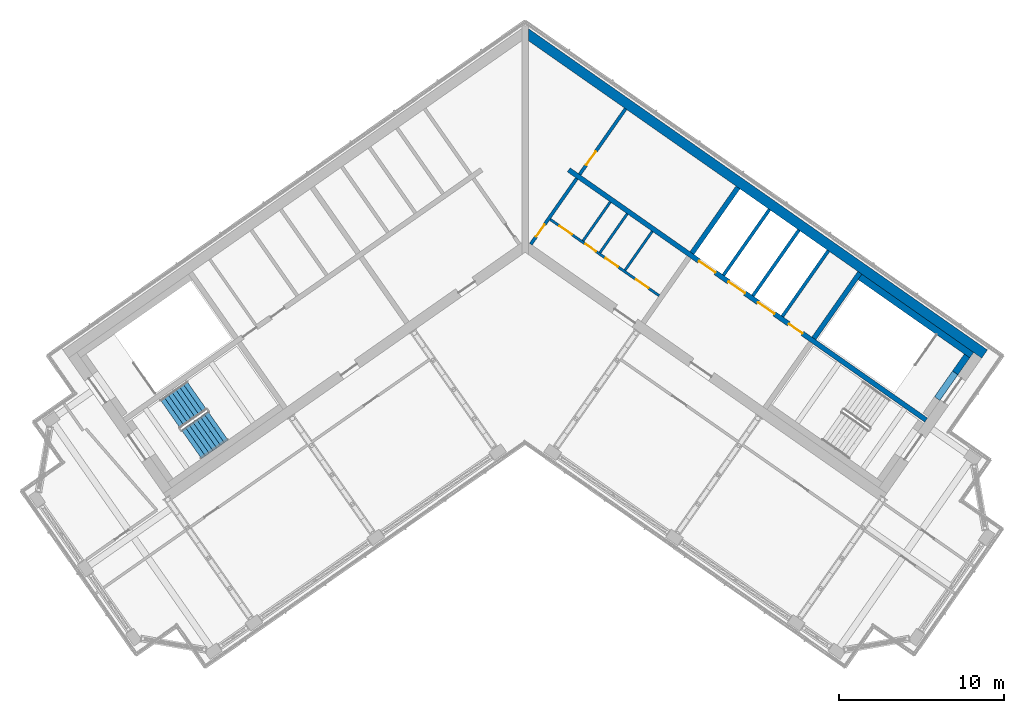
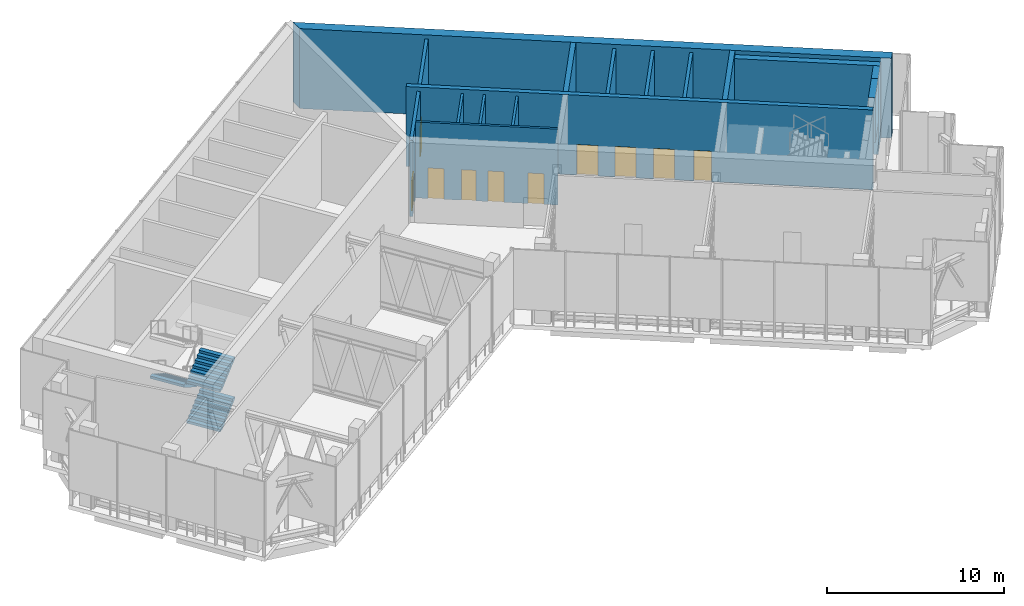
# One storey, part 5 of 16: 16 walls, 10 doors, 3 stair flights, 10 openings, 1 element without a shape of its own.
"""IFC4 building model written with IfcOpenShell, lengths in metres."""

import ifcopenshell
import ifcopenshell.guid

model = None  # the IFC model being written
_history = None  # IfcOwnerHistory: only IFC2X3 demands one
_inside = {}  # id of a spatial element -> (the spatial element, [elements in it])
_under = {}  # id of a project, library or spatial element -> (it, [spatial elements below it])
_declared = {}  # id of a project -> (the project, [libraries it declares])
_typed = {}  # id of a type object -> (the type object, [elements of that type])
_made_of = {}  # id of a material, layer set ... -> (it, [elements and type objects made of it])


def new_model(schema):
    """Start an empty IFC model of exactly this schema.

    Asked for "IFC4X3", IfcOpenShell would pick the latest addendum, in which some entities
    have other attributes; the version numbers below select the first issue.
    IFC2X3 requires an IfcOwnerHistory on every rooted entity: one is made here for all.
    """
    global model, _history
    if schema == "IFC4X3":
        model = ifcopenshell.file(schema_version=(4, 3, 0, 0))
    else:
        model = ifcopenshell.file(schema=schema)
    _inside.clear()
    _under.clear()
    _declared.clear()
    _typed.clear()
    _made_of.clear()
    _history = None
    if model.schema == "IFC2X3":
        org = make("IfcOrganization", Name="unknown")
        user = make(
            "IfcPersonAndOrganization",
            ThePerson=make("IfcPerson", FamilyName="unknown"),
            TheOrganization=org,
        )
        app = make(
            "IfcApplication",
            ApplicationDeveloper=org,
            Version="unknown",
            ApplicationFullName="unknown",
            ApplicationIdentifier="unknown",
        )
        _history = make(
            "IfcOwnerHistory",
            OwningUser=user,
            OwningApplication=app,
            ChangeAction="ADDED",
            CreationDate=0,
        )
    return model


def make(cls, **values):
    """One entity of the class cls with the attributes given. An attribute that is None is left unset."""
    return model.create_entity(
        cls, **{name: value for name, value in values.items() if value is not None}
    )


def rooted(cls, **values):
    """An entity with a GlobalId (a new one), such as an element, a storey or a relation."""
    return make(cls, GlobalId=ifcopenshell.guid.new(), OwnerHistory=_history, **values)


def si_unit(unit_type, name, prefix=None):
    """IfcSIUnit, for example si_unit("LENGTHUNIT", "METRE", prefix="MILLI")."""
    return make("IfcSIUnit", UnitType=unit_type, Prefix=prefix, Name=name)


def assignment(units):
    """IfcUnitAssignment: the units of a project."""
    return None if units is None else make("IfcUnitAssignment", Units=units)


def point(xyz):
    """IfcCartesianPoint."""
    return None if xyz is None else make("IfcCartesianPoint", Coordinates=xyz)


def direction(xyz):
    """IfcDirection."""
    return None if xyz is None else make("IfcDirection", DirectionRatios=xyz)


def frame(location, z_axis=None, x_axis=None):
    """IfcAxis2Placement3D, a coordinate frame: its origin and axes. An axis left out is left unset."""
    return make(
        "IfcAxis2Placement3D",
        Location=point(location),
        Axis=direction(z_axis),
        RefDirection=direction(x_axis),
    )


def frame_2d(location, x_axis=None):
    """IfcAxis2Placement2D, a coordinate frame in the plane: its origin and x axis."""
    return make(
        "IfcAxis2Placement2D", Location=point(location), RefDirection=direction(x_axis)
    )


def origin():
    """The frame at (0, 0, 0) with its axes left unset."""
    return frame((0.0, 0.0, 0.0))


def place(relative_to, where):
    """IfcLocalPlacement: puts the frame where relative to a parent placement (None: the world)."""
    return make(
        "IfcLocalPlacement", PlacementRelTo=relative_to, RelativePlacement=where
    )


def context(
    kind, dimensions, precision=None, world=None, true_north=None, identifier=None
):
    """IfcGeometricRepresentationContext, for example the 3D "Model" context."""
    return make(
        "IfcGeometricRepresentationContext",
        ContextIdentifier=identifier,
        ContextType=kind,
        CoordinateSpaceDimension=dimensions,
        Precision=precision,
        WorldCoordinateSystem=world,
        TrueNorth=true_north,
    )


def subcontext(parent, identifier, kind, view, scale=None):
    """IfcGeometricRepresentationSubContext, for example "Body" below "Model"."""
    return make(
        "IfcGeometricRepresentationSubContext",
        ContextIdentifier=identifier,
        ContextType=kind,
        ParentContext=parent,
        TargetScale=scale,
        TargetView=view,
    )


def project(units=None, contexts=None):
    """IfcProject with its units and contexts."""
    return rooted(
        "IfcProject",
        Name="project",
        RepresentationContexts=contexts,
        UnitsInContext=assignment(units),
    )


def spatial(cls, under=None, at=None, **own):
    """A site, building, storey or space (cls), placed at a placement, below another one or the project."""
    s = rooted(cls, ObjectPlacement=at, **own)
    if under is not None:
        _under.setdefault(under.id(), (under, []))[1].append(s)
    return s


def polyline(points):
    """IfcPolyline through the points."""
    return make("IfcPolyline", Points=[point(p) for p in points])


def profile(cls, at=None, kind="AREA", **sizes):
    """A parametric profile (cls). Its sizes go by their IFC names, for example OverallWidth=200.0."""
    return make(cls, ProfileType=kind, Position=at, **sizes)


def rectangle(**sizes):
    """IfcRectangleProfileDef."""
    return profile("IfcRectangleProfileDef", **sizes)


def outline(outer, holes=None, kind="AREA"):
    """IfcArbitraryClosedProfileDef: a profile drawn as a closed curve; with holes, ...WithVoids."""
    if holes is None:
        return make("IfcArbitraryClosedProfileDef", ProfileType=kind, OuterCurve=outer)
    return make(
        "IfcArbitraryProfileDefWithVoids",
        ProfileType=kind,
        OuterCurve=outer,
        InnerCurves=holes,
    )


def extrude(swept, where, along, depth):
    """IfcExtrudedAreaSolid: the profile swept, set in the frame where, extruded along a direction by depth."""
    return make(
        "IfcExtrudedAreaSolid",
        SweptArea=swept,
        Position=where,
        ExtrudedDirection=direction(along),
        Depth=depth,
    )


def shape(context_of_items, identifier, shape_type, items):
    """IfcShapeRepresentation: the items that make up one representation, for example the "Body"."""
    return make(
        "IfcShapeRepresentation",
        ContextOfItems=context_of_items,
        RepresentationIdentifier=identifier,
        RepresentationType=shape_type,
        Items=items,
    )


def material(Name=None, Category=None):
    """IfcMaterial."""
    return make("IfcMaterial", Name=Name, Category=Category)


def layer(
    of_material, thickness, ventilated=None, Name=None, Category=None, Priority=None
):
    """IfcMaterialLayer: one layer of a wall or slab, of a material (None: an air gap)."""
    return make(
        "IfcMaterialLayer",
        Material=of_material,
        LayerThickness=thickness,
        IsVentilated=ventilated,
        Name=Name,
        Category=Category,
        Priority=Priority,
    )


def layer_set(layers, Name=None):
    """IfcMaterialLayerSet."""
    return make("IfcMaterialLayerSet", MaterialLayers=layers, LayerSetName=Name)


def made_of(thing, what):
    """Note that an element or type object is made of a material, layer set ...; save() writes the relation."""
    if what is not None:
        _made_of.setdefault(what.id(), (what, []))[1].append(thing)
    return thing


def type_object(cls, material=None, **own):
    """A type object (cls), such as IfcWallType, which elements share."""
    return made_of(rooted(cls, **own), material)


def element(
    cls,
    number,
    at=None,
    inside=None,
    cuts=None,
    type_object=None,
    material=None,
    context=None,
    identifier="Body",
    shape_type=None,
    held_by="IfcProductDefinitionShape",
    body=None,
    shapes=None,
    **own,
):
    """One element of the class cls, such as IfcWall. Its Tag is "e" and its number.

    at: its placement. inside: the storey or other place that contains it. cuts: it is an
    opening in that element (IfcRelVoidsElement). A single representation is given by context,
    identifier, shape_type and body (its items); several are given by shapes. held_by: the class
    of the entity that holds the representations. save() writes the other relations.
    """
    e = rooted(cls, Tag="e%d" % number, ObjectPlacement=at, **own)
    if body is not None:
        shapes = [shape(context, identifier, shape_type, body)]
    if shapes is not None:
        e.Representation = make(held_by, Representations=shapes)
    if inside is not None:
        _inside.setdefault(inside.id(), (inside, []))[1].append(e)
    if cuts is not None:
        rooted(
            "IfcRelVoidsElement", RelatingBuildingElement=cuts, RelatedOpeningElement=e
        )
    if type_object is not None:
        _typed.setdefault(type_object.id(), (type_object, []))[1].append(e)
    return made_of(e, material)


def fill(opening, filler):
    """IfcRelFillsElement: the door or window that sits in an opening."""
    return rooted(
        "IfcRelFillsElement",
        RelatingOpeningElement=opening,
        RelatedBuildingElement=filler,
    )


def aggregate(whole, parts):
    """IfcRelAggregates: a whole, such as a stair, and the parts it consists of."""
    return rooted("IfcRelAggregates", RelatingObject=whole, RelatedObjects=parts)


def save(model, path):
    """Write the relations noted so far, then the file.

    IfcRelAggregates (storeys below a building ...), IfcRelContainedInSpatialStructure (elements
    in a storey), IfcRelDefinesByType, IfcRelAssociatesMaterial and IfcRelDeclares: one each for
    every whole, place, type object, material and project.
    """
    for whole, parts in _under.values():
        aggregate(whole, parts)
    for where, things in _inside.values():
        rooted(
            "IfcRelContainedInSpatialStructure",
            RelatedElements=things,
            RelatingStructure=where,
        )
    for kind, things in _typed.values():
        rooted("IfcRelDefinesByType", RelatedObjects=things, RelatingType=kind)
    for what, things in _made_of.values():
        rooted("IfcRelAssociatesMaterial", RelatedObjects=things, RelatingMaterial=what)
    for by, libraries in _declared.values():
        rooted("IfcRelDeclares", RelatingContext=by, RelatedDefinitions=libraries)
    model.write(path)


model = new_model("IFC4")

# Units and contexts
model_context = context("Model", 3, precision=1e-05, world=origin(), true_north=direction((0.0, 1.0)))
body_context = subcontext(model_context, "Body", "Model", "MODEL_VIEW")
ifc_project = project(units=[si_unit("LENGTHUNIT", "METRE"), si_unit("AREAUNIT", "SQUARE_METRE"), si_unit("VOLUMEUNIT", "CUBIC_METRE"), si_unit("PLANEANGLEUNIT", "RADIAN"), si_unit("MASSUNIT", "GRAM", prefix="KILO")], contexts=[model_context])

# Site, building, storey
site_placement = place(None, origin())
site = spatial("IfcSite", under=ifc_project, at=site_placement, CompositionType="ELEMENT")
building_placement = place(site_placement, origin())
building = spatial("IfcBuilding", under=site, at=building_placement, Name="Tel Ilan Convention Tower", CompositionType="ELEMENT")
storey_placement = place(building_placement, frame((0.0, 0.0, 313.300048828125)))
storey = spatial("IfcBuildingStorey", under=building, at=storey_placement, Name="L74", CompositionType="ELEMENT", Elevation=313.300048828125)

# Wall, openings, doors
ifc_material_1 = material(Name="Gypsum Plasterboard on Steel Stud", Category="steel")
ifc_layer_1 = layer(ifc_material_1, 0.14990234375)
ifc_layer_set_1 = layer_set([ifc_layer_1], Name="Core Room Partition Wall 150 mm EI 60")
wall_type_1 = type_object("IfcWallType", Name="Core Room Partition Wall 150 mm EI 60", PredefinedType="PARTITIONING", material=ifc_layer_set_1)
wall_1_placement = place(storey_placement, frame((1.515625, 0.77001953125, 0.0), z_axis=(0.0, 0.0, 1.0), x_axis=(0.819146424436, -0.573584462249, 0.0)))
wall_1 = element("IfcWall", 1, at=wall_1_placement, inside=storey, type_object=wall_type_1, Name="L74 core wall wc-h1", PredefinedType="PARTITIONING", context=body_context, shape_type="SweptSolid", body=[
    extrude(rectangle(XDim=8.050048828125, YDim=0.14990234375, at=frame_2d((4.02490234375, 0.0))), origin(), (0.0, 0.0, 1.0), 5.219970703125),
])
opening_1_placement = place(wall_1_placement, frame((0.699951171875, 0.0, 0.0)))
opening_1 = element("IfcOpeningElement", 2, at=opening_1_placement, cuts=wall_1, Name="Opening CD5613", PredefinedType="OPENING", context=body_context, shape_type="SweptSolid", body=[
    extrude(rectangle(XDim=0.89990234375, YDim=2.10009765625, at=frame_2d((0.449951171875, 1.050048828125))), frame((0.0, 0.0849609375, 0.0), z_axis=(0.0, -1.0, 0.0), x_axis=(1.0, 0.0, 0.0)), (0.0, 0.0, 1.0), 0.169921875),
])
opening_2_placement = place(wall_1_placement, frame((2.60009765625, 0.0, 0.0)))
opening_2 = element("IfcOpeningElement", 3, at=opening_2_placement, cuts=wall_1, Name="Opening CD5612", PredefinedType="OPENING", context=body_context, shape_type="SweptSolid", body=[
    extrude(rectangle(XDim=0.800048828125, YDim=2.10009765625, at=frame_2d((0.39990234375, 1.050048828125))), frame((0.0, 0.0849609375, 0.0), z_axis=(0.0, -1.0, 0.0), x_axis=(1.0, 0.0, 0.0)), (0.0, 0.0, 1.0), 0.169921875),
])
opening_3_placement = place(wall_1_placement, frame((4.10009765625, 0.0, 0.0)))
opening_3 = element("IfcOpeningElement", 4, at=opening_3_placement, cuts=wall_1, Name="Opening CD5611", PredefinedType="OPENING", context=body_context, shape_type="SweptSolid", body=[
    extrude(rectangle(XDim=0.89990234375, YDim=2.10009765625, at=frame_2d((0.449951171875, 1.050048828125))), frame((0.0, 0.0849609375, 0.0), z_axis=(0.0, -1.0, 0.0), x_axis=(1.0, 0.0, 0.0)), (0.0, 0.0, 1.0), 0.169921875),
])
opening_4_placement = place(wall_1_placement, frame((6.35009765625, 0.0, 0.0)))
opening_4 = element("IfcOpeningElement", 5, at=opening_4_placement, cuts=wall_1, Name="Opening CD5614", PredefinedType="OPENING", context=body_context, shape_type="SweptSolid", body=[
    extrude(rectangle(XDim=0.89990234375, YDim=2.10009765625, at=frame_2d((0.449951171875, 1.050048828125))), frame((0.0, 0.0849609375, 0.0), z_axis=(0.0, -1.0, 0.0), x_axis=(1.0, 0.0, 0.0)), (0.0, 0.0, 1.0), 0.169921875),
])
ifc_material_2 = material(Name="Galvanised Steel Door Leaf", Category="steel")
door_type_1 = type_object("IfcDoorType", Name="Store Door 800 x 2100 FD60", OperationType="NOTDEFINED", PredefinedType="DOOR", material=ifc_material_2)
door_1_placement = place(opening_2_placement, origin())
door_1 = element("IfcDoor", 6, at=door_1_placement, inside=storey, type_object=door_type_1, Name="Cleaner's store door", OperationType="SINGLE_SWING_RIGHT", OverallHeight=2.10009765625, OverallWidth=0.800048828125, PredefinedType="DOOR", context=body_context, shape_type="SweptSolid", body=[
    extrude(rectangle(XDim=0.800048828125, YDim=2.10009765625, at=frame_2d((0.39990234375, 1.050048828125))), frame((0.0, 0.02490234375, 0.0), z_axis=(0.0, -1.0, 0.0), x_axis=(1.0, 0.0, 0.0)), (0.0, 0.0, 1.0), 0.050048828125),
])
fill(opening_2, door_1)
ifc_material_3 = material(Name="Laminated Timber Door Leaf", Category="wood")
door_type_2 = type_object("IfcDoorType", Name="Toilet Door 900 x 2100 FD30S", OperationType="NOTDEFINED", PredefinedType="DOOR", material=ifc_material_3)
door_2_placement = place(opening_1_placement, origin())
door_2 = element("IfcDoor", 7, at=door_2_placement, inside=storey, type_object=door_type_2, Name="Men's WC door", OperationType="SINGLE_SWING_RIGHT", OverallHeight=2.10009765625, OverallWidth=0.89990234375, PredefinedType="DOOR", context=body_context, shape_type="SweptSolid", body=[
    extrude(rectangle(XDim=0.89990234375, YDim=2.10009765625, at=frame_2d((0.449951171875, 1.050048828125))), frame((0.0, 0.02490234375, 0.0), z_axis=(0.0, -1.0, 0.0), x_axis=(1.0, 0.0, 0.0)), (0.0, 0.0, 1.0), 0.050048828125),
])
fill(opening_1, door_2)
door_3_placement = place(opening_3_placement, origin())
door_3 = element("IfcDoor", 8, at=door_3_placement, inside=storey, type_object=door_type_2, Name="Accessible WC door", OperationType="SINGLE_SWING_RIGHT", OverallHeight=2.10009765625, OverallWidth=0.89990234375, PredefinedType="DOOR", context=body_context, shape_type="SweptSolid", body=[
    extrude(rectangle(XDim=0.89990234375, YDim=2.10009765625, at=frame_2d((0.449951171875, 1.050048828125))), frame((0.0, 0.02490234375, 0.0), z_axis=(0.0, -1.0, 0.0), x_axis=(1.0, 0.0, 0.0)), (0.0, 0.0, 1.0), 0.050048828125),
])
fill(opening_3, door_3)
door_4_placement = place(opening_4_placement, origin())
door_4 = element("IfcDoor", 9, at=door_4_placement, inside=storey, type_object=door_type_2, Name="Women's WC door", OperationType="SINGLE_SWING_RIGHT", OverallHeight=2.10009765625, OverallWidth=0.89990234375, PredefinedType="DOOR", context=body_context, shape_type="SweptSolid", body=[
    extrude(rectangle(XDim=0.89990234375, YDim=2.10009765625, at=frame_2d((0.449951171875, 1.050048828125))), frame((0.0, 0.02490234375, 0.0), z_axis=(0.0, -1.0, 0.0), x_axis=(1.0, 0.0, 0.0)), (0.0, 0.0, 1.0), 0.050048828125),
])
fill(opening_4, door_4)

# Walls
wall_2_placement = place(storey_placement, frame((3.504150390625, -0.531005859375, 0.0), z_axis=(0.0, 0.0, 1.0), x_axis=(0.573582013179, 0.819148139324, 0.0)))
element("IfcWall", 10, at=wall_2_placement, inside=storey, type_object=wall_type_1, Name="L74 core wall wc-v0", PredefinedType="PARTITIONING", context=body_context, shape_type="SweptSolid", body=[
    extrude(rectangle(XDim=2.875244140625, YDim=0.14990234375, at=frame_2d((1.4375, 0.0))), origin(), (0.0, 0.0, 1.0), 5.219970703125),
])
wall_3_placement = place(storey_placement, frame((4.528076171875, -1.247802734375, 0.0), z_axis=(0.0, 0.0, 1.0), x_axis=(0.573621911162, 0.819120200602, 0.0)))
element("IfcWall", 11, at=wall_3_placement, inside=storey, type_object=wall_type_1, Name="L74 core wall wc-v1", PredefinedType="PARTITIONING", context=body_context, shape_type="SweptSolid", body=[
    extrude(rectangle(XDim=2.875, YDim=0.14990234375, at=frame_2d((1.4375, 0.0))), origin(), (0.0, 0.0, 1.0), 5.219970703125),
])
wall_4_placement = place(storey_placement, frame((6.043701171875, -2.30908203125, 0.0), z_axis=(0.0, 0.0, 1.0), x_axis=(0.573564930514, 0.819160100642, 0.0)))
element("IfcWall", 12, at=wall_4_placement, inside=storey, type_object=wall_type_1, Name="L74 core wall wc-v2", PredefinedType="PARTITIONING", context=body_context, shape_type="SweptSolid", body=[
    extrude(rectangle(XDim=2.874755859375, YDim=0.14990234375, at=frame_2d((1.4375, 0.0))), origin(), (0.0, 0.0, 1.0), 5.219970703125),
])

# Wall, opening, door
ifc_material_4 = material(Name="Concrete C30/37", Category="concrete")
ifc_layer_2 = layer(ifc_material_4, 0.199951171875)
ifc_layer_set_2 = layer_set([ifc_layer_2], Name="Core Service Room Wall 200 mm C30/37")
wall_type_2 = type_object("IfcWallType", Name="Core Service Room Wall 200 mm C30/37", PredefinedType="SOLIDWALL", material=ifc_layer_set_2)
wall_5_placement = place(storey_placement, frame((0.343994140625, -0.729248046875, 0.0), z_axis=(0.0, 0.0, 1.0), x_axis=(0.573560315113, 0.819163332265, 0.0)))
wall_5 = element("IfcWall", 13, at=wall_5_placement, inside=storey, type_object=wall_type_2, Name="L74 core wall apex-E", PredefinedType="SOLIDWALL", context=body_context, shape_type="SweptSolid", body=[
    extrude(rectangle(XDim=4.849853515625, YDim=0.199951171875, at=frame_2d((2.4248046875, 0.0))), origin(), (0.0, 0.0, 1.0), 5.219970703125),
])
opening_5_placement = place(wall_5_placement, frame((0.550048828125, 0.0, 0.0)))
opening_5 = element("IfcOpeningElement", 14, at=opening_5_placement, cuts=wall_5, Name="Opening CD5601", PredefinedType="OPENING", context=body_context, shape_type="SweptSolid", body=[
    extrude(rectangle(XDim=0.89990234375, YDim=2.10009765625, at=frame_2d((0.449951171875, 1.050048828125))), frame((0.0, 0.10986328125, 0.0), z_axis=(0.0, -1.0, 0.0), x_axis=(1.0, 0.0, 0.0)), (0.0, 0.0, 1.0), 0.219970703125),
])
ifc_material_5 = material(Name="Galvanised Steel Door Leaf", Category="steel")
door_type_3 = type_object("IfcDoorType", Name="Service Room Door 900 x 2100 FD60", OperationType="NOTDEFINED", PredefinedType="DOOR", material=ifc_material_5)
door_5_placement = place(opening_5_placement, origin())
door_5 = element("IfcDoor", 15, at=door_5_placement, inside=storey, type_object=door_type_3, Name="Electrical Room door", OperationType="SINGLE_SWING_RIGHT", OverallHeight=2.10009765625, OverallWidth=0.89990234375, PredefinedType="DOOR", context=body_context, shape_type="SweptSolid", body=[
    extrude(rectangle(XDim=0.89990234375, YDim=2.10009765625, at=frame_2d((0.449951171875, 1.050048828125))), frame((0.0, 0.02490234375, 0.0), z_axis=(0.0, -1.0, 0.0), x_axis=(1.0, 0.0, 0.0)), (0.0, 0.0, 1.0), 0.050048828125),
])
fill(opening_5, door_5)

wall_6_placement = place(storey_placement, frame((3.2978515625, 3.489501953125, 0.0), z_axis=(0.0, 0.0, 1.0), x_axis=(0.573560315113, 0.819163332265, 0.0)))
wall_6 = element("IfcWall", 16, at=wall_6_placement, inside=storey, type_object=wall_type_2, Name="L74 core wall apex-E-b", PredefinedType="SOLIDWALL", context=body_context, shape_type="SweptSolid", body=[
    extrude(rectangle(XDim=4.849853515625, YDim=0.199951171875, at=frame_2d((2.4248046875, 0.0))), origin(), (0.0, 0.0, 1.0), 5.219970703125),
])
opening_6_placement = place(wall_6_placement, frame((0.699951171875, 0.0, 0.0)))
opening_6 = element("IfcOpeningElement", 17, at=opening_6_placement, cuts=wall_6, Name="Opening CD5603", PredefinedType="OPENING", context=body_context, shape_type="SweptSolid", body=[
    extrude(rectangle(XDim=1.0, YDim=2.10009765625, at=frame_2d((0.5, 1.050048828125))), frame((0.0, 0.10986328125, 0.0), z_axis=(0.0, -1.0, 0.0), x_axis=(1.0, 0.0, 0.0)), (0.0, 0.0, 1.0), 0.219970703125),
])
ifc_material_6 = material(Name="Galvanised Steel Door Leaf", Category="steel")
door_type_4 = type_object("IfcDoorType", Name="Service Room Door 1000 x 2100 FD60", OperationType="NOTDEFINED", PredefinedType="DOOR", material=ifc_material_6)
door_6_placement = place(opening_6_placement, origin())
door_6 = element("IfcDoor", 18, at=door_6_placement, inside=storey, type_object=door_type_4, Name="Plant Room door", OperationType="SINGLE_SWING_RIGHT", OverallHeight=2.10009765625, OverallWidth=1.0, PredefinedType="DOOR", context=body_context, shape_type="SweptSolid", body=[
    extrude(rectangle(XDim=1.0, YDim=2.10009765625, at=frame_2d((0.5, 1.050048828125))), frame((0.0, 0.02490234375, 0.0), z_axis=(0.0, -1.0, 0.0), x_axis=(1.0, 0.0, 0.0)), (0.0, 0.0, 1.0), 0.050048828125),
])
fill(opening_6, door_6)

# Walls
ifc_material_7 = material(Name="Concrete C40/50", Category="concrete")
ifc_layer_3 = layer(ifc_material_7, 0.300048828125)
ifc_layer_set_3 = layer_set([ifc_layer_3], Name="Core Shear Wall 300 mm C40/50")
wall_type_3 = type_object("IfcWallType", Name="Core Shear Wall 300 mm C40/50", PredefinedType="SHEAR", material=ifc_layer_set_3)
wall_7_placement = place(storey_placement, frame((10.096923828125, -1.271240234375, 0.0), z_axis=(0.0, 0.0, 1.0), x_axis=(0.573560315113, 0.819163332265, 0.0)))
element("IfcWall", 19, at=wall_7_placement, inside=storey, type_object=wall_type_3, Name="L74 core wall E-cross1-2", PredefinedType="SHEAR", context=body_context, shape_type="SweptSolid", body=[
    extrude(outline(polyline([(4.849853515625, -0.150146484375), (4.849853515625, 0.14990234375), (0.0, 0.150146484375), (0.0, -0.14990234375), (4.849853515625, -0.150146484375)])), origin(), (0.0, 0.0, 1.0), 5.5),
])
wall_8_placement = place(storey_placement, frame((17.46923828125, -6.433349609375, 0.0), z_axis=(0.0, 0.0, 1.0), x_axis=(0.573594092424, 0.81913968109, 0.0)))
element("IfcWall", 20, at=wall_8_placement, inside=storey, type_object=wall_type_3, Name="L74 core wall E-cross2-2", PredefinedType="SHEAR", context=body_context, shape_type="SweptSolid", body=[
    extrude(outline(polyline([(4.849853515625, -0.14990234375), (4.849853515625, 0.150146484375), (0.0, 0.14990234375), (0.0, -0.14990234375), (4.849853515625, -0.14990234375)])), origin(), (0.0, 0.0, 1.0), 5.5),
])

# Wall, openings, doors
wall_9_placement = place(storey_placement, frame((2.638427734375, 3.76806640625, 0.0), z_axis=(0.0, 0.0, 1.0), x_axis=(0.819155014212, -0.573572194837, 0.0)))
wall_9 = element("IfcWall", 21, at=wall_9_placement, inside=storey, type_object=wall_type_3, Name="L74 core wall E-spine", PredefinedType="SHEAR", context=body_context, shape_type="SweptSolid", body=[
    extrude(outline(polyline([(0.0, 0.150146484375), (0.0, -0.14990234375), (26.39990234375, -0.150146484375), (26.39990234375, 0.14990234375), (0.0, 0.150146484375)])), origin(), (0.0, 0.0, 1.0), 5.5),
])
opening_7_placement = place(wall_9_placement, frame((9.637451171875, 0.0, 0.0)))
opening_7 = element("IfcOpeningElement", 22, at=opening_7_placement, cuts=wall_9, Name="Opening LD5601", PredefinedType="OPENING", context=body_context, shape_type="SweptSolid", body=[
    extrude(rectangle(XDim=1.199951171875, YDim=2.10009765625, at=frame_2d((0.60009765625, 1.050048828125))), frame((0.0, 0.159912109375, 0.0), z_axis=(0.0, -1.0, 0.0), x_axis=(1.0, 0.0, 0.0)), (0.0, 0.0, 1.0), 0.320068359375),
])
opening_8_placement = place(wall_9_placement, frame((11.8125, 0.0, 0.0)))
opening_8 = element("IfcOpeningElement", 23, at=opening_8_placement, cuts=wall_9, Name="Opening LD5602", PredefinedType="OPENING", context=body_context, shape_type="SweptSolid", body=[
    extrude(rectangle(XDim=1.199951171875, YDim=2.10009765625, at=frame_2d((0.60009765625, 1.050048828125))), frame((0.0, 0.159912109375, 0.0), z_axis=(0.0, -1.0, 0.0), x_axis=(1.0, 0.0, 0.0)), (0.0, 0.0, 1.0), 0.320068359375),
])
opening_9_placement = place(wall_9_placement, frame((13.987548828125, 0.0, 0.0)))
opening_9 = element("IfcOpeningElement", 24, at=opening_9_placement, cuts=wall_9, Name="Opening LD5603", PredefinedType="OPENING", context=body_context, shape_type="SweptSolid", body=[
    extrude(rectangle(XDim=1.199951171875, YDim=2.10009765625, at=frame_2d((0.60009765625, 1.050048828125))), frame((0.0, 0.159912109375, 0.0), z_axis=(0.0, -1.0, 0.0), x_axis=(1.0, 0.0, 0.0)), (0.0, 0.0, 1.0), 0.320068359375),
])
opening_10_placement = place(wall_9_placement, frame((16.262451171875, 0.0, 0.0)))
opening_10 = element("IfcOpeningElement", 25, at=opening_10_placement, cuts=wall_9, Name="Opening CD5608", PredefinedType="OPENING", context=body_context, shape_type="SweptSolid", body=[
    extrude(rectangle(XDim=1.0, YDim=2.10009765625, at=frame_2d((0.5, 1.050048828125))), frame((0.0, 0.159912109375, 0.0), z_axis=(0.0, -1.0, 0.0), x_axis=(1.0, 0.0, 0.0)), (0.0, 0.0, 1.0), 0.320068359375),
])
ifc_material_8 = material(Name="Stainless Steel Sliding Door Leaf", Category="steel")
door_type_5 = type_object("IfcDoorType", Name="Lift Landing Door 1200 x 2100 FD120", OperationType="NOTDEFINED", PredefinedType="DOOR", material=ifc_material_8)
door_7_placement = place(opening_7_placement, origin())
door_7 = element("IfcDoor", 26, at=door_7_placement, inside=storey, type_object=door_type_5, Name="Lift FL1 landing door", OperationType="SLIDING_TO_LEFT", OverallHeight=2.10009765625, OverallWidth=1.199951171875, PredefinedType="DOOR", context=body_context, shape_type="SweptSolid", body=[
    extrude(rectangle(XDim=1.199951171875, YDim=2.10009765625, at=frame_2d((0.60009765625, 1.050048828125))), frame((0.0, 0.02490234375, 0.0), z_axis=(0.0, -1.0, 0.0), x_axis=(1.0, 0.0, 0.0)), (0.0, 0.0, 1.0), 0.050048828125),
])
fill(opening_7, door_7)
door_8_placement = place(opening_8_placement, origin())
door_8 = element("IfcDoor", 27, at=door_8_placement, inside=storey, type_object=door_type_5, Name="Lift FL2 landing door", OperationType="SLIDING_TO_RIGHT", OverallHeight=2.10009765625, OverallWidth=1.199951171875, PredefinedType="DOOR", context=body_context, shape_type="SweptSolid", body=[
    extrude(rectangle(XDim=1.199951171875, YDim=2.10009765625, at=frame_2d((0.60009765625, 1.050048828125))), frame((0.0, 0.02490234375, 0.0), z_axis=(0.0, -1.0, 0.0), x_axis=(1.0, 0.0, 0.0)), (0.0, 0.0, 1.0), 0.050048828125),
])
fill(opening_8, door_8)
door_9_placement = place(opening_9_placement, origin())
door_9 = element("IfcDoor", 28, at=door_9_placement, inside=storey, type_object=door_type_5, Name="Lift FL3 landing door", OperationType="SLIDING_TO_LEFT", OverallHeight=2.10009765625, OverallWidth=1.199951171875, PredefinedType="DOOR", context=body_context, shape_type="SweptSolid", body=[
    extrude(rectangle(XDim=1.199951171875, YDim=2.10009765625, at=frame_2d((0.60009765625, 1.050048828125))), frame((0.0, 0.02490234375, 0.0), z_axis=(0.0, -1.0, 0.0), x_axis=(1.0, 0.0, 0.0)), (0.0, 0.0, 1.0), 0.050048828125),
])
fill(opening_9, door_9)
door_10_placement = place(opening_10_placement, origin())
door_10 = element("IfcDoor", 29, at=door_10_placement, inside=storey, type_object=door_type_4, Name="Plant Room door", OperationType="SINGLE_SWING_RIGHT", OverallHeight=2.10009765625, OverallWidth=1.0, PredefinedType="DOOR", context=body_context, shape_type="SweptSolid", body=[
    extrude(rectangle(XDim=1.0, YDim=2.10009765625, at=frame_2d((0.5, 1.050048828125))), frame((0.0, 0.02490234375, 0.0), z_axis=(0.0, -1.0, 0.0), x_axis=(1.0, 0.0, 0.0)), (0.0, 0.0, 1.0), 0.050048828125),
])
fill(opening_10, door_10)

# Walls
ifc_material_9 = material(Name="Concrete C40/50", Category="concrete")
ifc_layer_4 = layer(ifc_material_9, 0.60009765625)
ifc_layer_set_4 = layer_set([ifc_layer_4], Name="Core Shear Wall 600 mm C40/50")
wall_type_4 = type_object("IfcWallType", Name="Core Shear Wall 600 mm C40/50", PredefinedType="SHEAR", material=ifc_layer_set_4)
wall_10_placement = place(storey_placement, frame((0.02783203125, 12.066162109375, 0.0), z_axis=(0.0, 0.0, 1.0), x_axis=(0.819151382952, -0.573577380837, 0.0)))
element("IfcWall", 30, at=wall_10_placement, inside=storey, type_object=wall_type_4, Name="L74 core wall E-back", PredefinedType="SHEAR", context=body_context, shape_type="SweptSolid", body=[
    extrude(outline(polyline([(33.898193359375, 0.300048828125), (0.0, 0.300048828125), (0.420166015625, -0.300048828125), (33.89794921875, -0.300048828125), (33.898193359375, 0.300048828125)])), origin(), (0.0, 0.0, 1.0), 5.5),
])
ifc_material_10 = material(Name="Concrete C30/37", Category="concrete")
ifc_layer_5 = layer(ifc_material_10, 0.199951171875)
ifc_layer_set_5 = layer_set([ifc_layer_5], Name="Lift Shaft Wall 200 mm C30/37")
wall_type_5 = type_object("IfcWallType", Name="Lift Shaft Wall 200 mm C30/37", PredefinedType="SOLIDWALL", material=ifc_layer_set_5)
wall_11_placement = place(storey_placement, frame((12.00146484375, -2.604736328125, 0.0), z_axis=(0.0, 0.0, 1.0), x_axis=(0.573560315113, 0.819163332265, 0.0)))
element("IfcWall", 31, at=wall_11_placement, inside=storey, type_object=wall_type_5, Name="L74 core wall bank-E2-p0", PredefinedType="SOLIDWALL", context=body_context, shape_type="SweptSolid", body=[
    extrude(rectangle(XDim=4.849853515625, YDim=0.199951171875, at=frame_2d((2.4248046875, 0.0))), origin(), (0.0, 0.0, 1.0), 5.219970703125),
])
wall_12_placement = place(storey_placement, frame((13.782958984375, -3.852294921875, 0.0), z_axis=(0.0, 0.0, 1.0), x_axis=(0.573594092424, 0.81913968109, 0.0)))
element("IfcWall", 32, at=wall_12_placement, inside=storey, type_object=wall_type_5, Name="L74 core wall bank-E2-p1", PredefinedType="SOLIDWALL", context=body_context, shape_type="SweptSolid", body=[
    extrude(rectangle(XDim=4.85009765625, YDim=0.199951171875, at=frame_2d((2.425048828125, 0.0))), origin(), (0.0, 0.0, 1.0), 5.219970703125),
])
wall_13_placement = place(storey_placement, frame((15.564697265625, -5.099853515625, 0.0), z_axis=(0.0, 0.0, 1.0), x_axis=(0.573560315113, 0.819163332265, 0.0)))
element("IfcWall", 33, at=wall_13_placement, inside=storey, type_object=wall_type_5, Name="L74 core wall bank-E2-p2", PredefinedType="SOLIDWALL", context=body_context, shape_type="SweptSolid", body=[
    extrude(rectangle(XDim=4.849853515625, YDim=0.199951171875, at=frame_2d((2.4248046875, 0.0))), origin(), (0.0, 0.0, 1.0), 5.219970703125),
])
ifc_material_11 = material(Name="Concrete C30/37", Category="concrete")
ifc_layer_6 = layer(ifc_material_11, 0.39990234375)
ifc_layer_set_6 = layer_set([ifc_layer_6], Name="Stair and Shaft Lining Wall 400 mm C30/37")
wall_type_6 = type_object("IfcWallType", Name="Stair and Shaft Lining Wall 400 mm C30/37", PredefinedType="SOLIDWALL", material=ifc_layer_set_6)
wall_14_placement = place(storey_placement, frame((20.25927734375, -2.71044921875, 0.0), z_axis=(0.0, 0.0, 1.0), x_axis=(0.81914849389, -0.573581506813, 0.0)))
element("IfcWall", 34, at=wall_14_placement, inside=storey, type_object=wall_type_6, Name="L74 core wall lining-S3-t1", PredefinedType="SOLIDWALL", context=body_context, shape_type="SweptSolid", body=[
    extrude(rectangle(XDim=8.249755859375, YDim=0.39990234375, at=frame_2d((4.125, 0.0))), origin(), (0.0, 0.0, 1.0), 5.219970703125),
])
wall_15_placement = place(storey_placement, frame((26.021728515625, -8.515380859375, 0.0), z_axis=(0.0, 0.0, 1.0), x_axis=(0.573619628835, 0.819121798889, 0.0)))
element("IfcWall", 35, at=wall_15_placement, inside=storey, type_object=wall_type_6, Name="L74 core wall lining-S3-u1-1", PredefinedType="SOLIDWALL", context=body_context, shape_type="SweptSolid", body=[
    extrude(rectangle(XDim=1.25, YDim=0.39990234375, at=frame_2d((0.625, 0.0))), origin(), (0.0, 0.0, 1.0), 5.219970703125),
])
wall_16_placement = place(storey_placement, frame((24.931884765625, -10.07177734375, 2.14990234375), z_axis=(0.0, 0.0, 1.0), x_axis=(0.573591692345, 0.819141361715, 0.0)))
element("IfcWall", 36, at=wall_16_placement, inside=storey, type_object=wall_type_6, Name="L74 core wall lining-S3-u1-lintel", PredefinedType="SOLIDWALL", context=body_context, shape_type="SweptSolid", body=[
    extrude(rectangle(XDim=1.900146484375, YDim=0.39990234375, at=frame_2d((0.9501953125, 0.0))), origin(), (0.0, 0.0, 1.0), 3.070068359375),
])

# Stair, stair flights
ifc_material_12 = material(Name="Concrete C40/50", Category="concrete")
stair_type = type_object("IfcStairType", Name="Pressurised Exit Stair 32 risers 172 mm", PredefinedType="HALF_TURN_STAIR", material=ifc_material_12)
stair_placement = place(storey_placement, origin())
stair = element("IfcStair", 37, at=stair_placement, inside=storey, type_object=stair_type, Name="L74 Pressurised Stair S2", PredefinedType="HALF_TURN_STAIR")
ifc_material_13 = material(Name="Precast Concrete C40/50", Category="concrete")
stair_flight_type = type_object("IfcStairFlightType", Name="Concrete Stair Flight 2100 mm 32 risers 172 mm", PredefinedType="STRAIGHT", material=ifc_material_13)
stair_flight_1_placement = place(storey_placement, frame((-20.179931640625, -12.848388671875, 0.0), z_axis=(0.0, 0.0, 1.0), x_axis=(0.819152044289, 0.573576436351, 0.0)))
stair_flight_1 = element("IfcStairFlight", 38, at=stair_flight_1_placement, type_object=stair_flight_type, Name="S2 flight 1", NumberOfRisers=8, NumberOfTreads=7, PredefinedType="STRAIGHT", RiserHeight=0.171875, TreadLength=0.28, context=body_context, shape_type="SweptSolid", body=[
    extrude(outline(polyline([(0.0, 0.0), (0.0, 0.171875), (0.280029296875, 0.171875), (0.280029296875, 0.34375), (0.56005859375, 0.34375), (0.56005859375, 0.515625), (0.840087890625, 0.515625), (0.840087890625, 0.6875), (1.1201171875, 0.6875), (1.1201171875, 0.859375), (1.39990234375, 0.859375), (1.39990234375, 1.03125), (1.679931640625, 1.03125), (1.679931640625, 1.203125), (1.9599609375, 1.203125), (1.9599609375, 1.375), (1.9599609375, 1.02734375), (0.28662109375, 0.0), (0.0, 0.0)])), frame((0.0, -0.100341796875, 0.0), z_axis=(0.0, -1.0, 0.0), x_axis=(1.0, 0.0, 0.0)), (0.0, 0.0, 1.0), 0.94970703125),
    extrude(outline(polyline([(0.0, 0.0), (0.0, 0.171875), (0.280029296875, 0.171875), (0.280029296875, 0.34375), (0.56005859375, 0.34375), (0.56005859375, 0.515625), (0.840087890625, 0.515625), (0.840087890625, 0.6875), (1.1201171875, 0.6875), (1.1201171875, 0.859375), (1.39990234375, 0.859375), (1.39990234375, 1.03125), (1.679931640625, 1.03125), (1.679931640625, 1.203125), (1.9599609375, 1.203125), (1.9599609375, 1.375), (1.9599609375, 1.02734375), (0.28662109375, 0.0), (0.0, 0.0)])), frame((0.0, -0.000244140625, 0.0), z_axis=(0.0, -1.0, 0.0), x_axis=(1.0, 0.0, 0.0)), (0.0, 0.0, 1.0), 0.099609375),
    extrude(outline(polyline([(0.0, 0.0), (0.0, 0.171875), (0.280029296875, 0.171875), (0.280029296875, 0.34375), (0.56005859375, 0.34375), (0.56005859375, 0.515625), (0.840087890625, 0.515625), (0.840087890625, 0.6875), (1.1201171875, 0.6875), (1.1201171875, 0.859375), (1.39990234375, 0.859375), (1.39990234375, 1.03125), (1.679931640625, 1.03125), (1.679931640625, 1.203125), (1.9599609375, 1.203125), (1.9599609375, 1.375), (1.9599609375, 1.02734375), (0.28662109375, 0.0), (0.0, 0.0)])), frame((0.0, 0.099853515625, 0.0), z_axis=(0.0, -1.0, 0.0), x_axis=(1.0, 0.0, 0.0)), (0.0, 0.0, 1.0), 0.099609375),
    extrude(outline(polyline([(0.0, 0.0), (0.0, 0.171875), (0.280029296875, 0.171875), (0.280029296875, 0.34375), (0.56005859375, 0.34375), (0.56005859375, 0.515625), (0.840087890625, 0.515625), (0.840087890625, 0.6875), (1.1201171875, 0.6875), (1.1201171875, 0.859375), (1.39990234375, 0.859375), (1.39990234375, 1.03125), (1.679931640625, 1.03125), (1.679931640625, 1.203125), (1.9599609375, 1.203125), (1.9599609375, 1.375), (1.9599609375, 1.02734375), (0.28662109375, 0.0), (0.0, 0.0)])), frame((0.0, 1.050048828125, 0.0), z_axis=(0.0, -1.0, 0.0), x_axis=(1.0, 0.0, 0.0)), (0.0, 0.0, 1.0), 0.94970703125),
])
stair_flight_2_placement = place(storey_placement, frame((-19.864990234375, -9.881103515625, 1.375), z_axis=(0.0, 0.0, 1.0), x_axis=(-0.819152044289, -0.573576436351, 0.0)))
stair_flight_2 = element("IfcStairFlight", 39, at=stair_flight_2_placement, type_object=stair_flight_type, Name="S2 flight 2", NumberOfRisers=8, NumberOfTreads=7, PredefinedType="STRAIGHT", RiserHeight=0.171875, TreadLength=0.28, context=body_context, shape_type="SweptSolid", body=[
    extrude(outline(polyline([(0.0, 0.0), (0.0, 0.171875), (0.280029296875, 0.171875), (0.280029296875, 0.34375), (0.56005859375, 0.34375), (0.56005859375, 0.515625), (0.840087890625, 0.515625), (0.840087890625, 0.6875), (1.1201171875, 0.6875), (1.1201171875, 0.859375), (1.39990234375, 0.859375), (1.39990234375, 1.03125), (1.679931640625, 1.03125), (1.679931640625, 1.203125), (1.9599609375, 1.203125), (1.9599609375, 1.375), (1.9599609375, 1.02734375), (0.28662109375, 0.0), (0.0, 0.0)])), frame((0.0, -0.100341796875, 0.0), z_axis=(0.0, -1.0, 0.0), x_axis=(1.0, 0.0, 0.0)), (0.0, 0.0, 1.0), 0.94970703125),
    extrude(outline(polyline([(0.0, 0.0), (0.0, 0.171875), (0.280029296875, 0.171875), (0.280029296875, 0.34375), (0.56005859375, 0.34375), (0.56005859375, 0.515625), (0.840087890625, 0.515625), (0.840087890625, 0.6875), (1.1201171875, 0.6875), (1.1201171875, 0.859375), (1.39990234375, 0.859375), (1.39990234375, 1.03125), (1.679931640625, 1.03125), (1.679931640625, 1.203125), (1.9599609375, 1.203125), (1.9599609375, 1.375), (1.9599609375, 1.02734375), (0.28662109375, 0.0), (0.0, 0.0)])), frame((0.0, -0.000244140625, 0.0), z_axis=(0.0, -1.0, 0.0), x_axis=(1.0, 0.0, 0.0)), (0.0, 0.0, 1.0), 0.099609375),
    extrude(outline(polyline([(0.0, 0.0), (0.0, 0.171875), (0.280029296875, 0.171875), (0.280029296875, 0.34375), (0.56005859375, 0.34375), (0.56005859375, 0.515625), (0.840087890625, 0.515625), (0.840087890625, 0.6875), (1.1201171875, 0.6875), (1.1201171875, 0.859375), (1.39990234375, 0.859375), (1.39990234375, 1.03125), (1.679931640625, 1.03125), (1.679931640625, 1.203125), (1.9599609375, 1.203125), (1.9599609375, 1.375), (1.9599609375, 1.02734375), (0.28662109375, 0.0), (0.0, 0.0)])), frame((0.0, 0.099853515625, 0.0), z_axis=(0.0, -1.0, 0.0), x_axis=(1.0, 0.0, 0.0)), (0.0, 0.0, 1.0), 0.099609375),
    extrude(outline(polyline([(0.0, 0.0), (0.0, 0.171875), (0.280029296875, 0.171875), (0.280029296875, 0.34375), (0.56005859375, 0.34375), (0.56005859375, 0.515625), (0.840087890625, 0.515625), (0.840087890625, 0.6875), (1.1201171875, 0.6875), (1.1201171875, 0.859375), (1.39990234375, 0.859375), (1.39990234375, 1.03125), (1.679931640625, 1.03125), (1.679931640625, 1.203125), (1.9599609375, 1.203125), (1.9599609375, 1.375), (1.9599609375, 1.02734375), (0.28662109375, 0.0), (0.0, 0.0)])), frame((0.0, 1.050048828125, 0.0), z_axis=(0.0, -1.0, 0.0), x_axis=(1.0, 0.0, 0.0)), (0.0, 0.0, 1.0), 0.94970703125),
])
stair_flight_3_placement = place(storey_placement, frame((-20.179931640625, -12.848388671875, 2.75), z_axis=(0.0, 0.0, 1.0), x_axis=(0.819152044289, 0.573576436351, 0.0)))
stair_flight_3 = element("IfcStairFlight", 40, at=stair_flight_3_placement, type_object=stair_flight_type, Name="S2 flight 3", NumberOfRisers=8, NumberOfTreads=7, PredefinedType="STRAIGHT", RiserHeight=0.171875, TreadLength=0.28, context=body_context, shape_type="SweptSolid", body=[
    extrude(outline(polyline([(0.0, 0.0), (0.0, 0.171875), (0.280029296875, 0.171875), (0.280029296875, 0.34375), (0.56005859375, 0.34375), (0.56005859375, 0.515625), (0.840087890625, 0.515625), (0.840087890625, 0.6875), (1.1201171875, 0.6875), (1.1201171875, 0.859375), (1.39990234375, 0.859375), (1.39990234375, 1.03125), (1.679931640625, 1.03125), (1.679931640625, 1.203125), (1.9599609375, 1.203125), (1.9599609375, 1.375), (1.9599609375, 1.02734375), (0.28662109375, 0.0), (0.0, 0.0)])), frame((0.0, -0.100341796875, 0.0), z_axis=(0.0, -1.0, 0.0), x_axis=(1.0, 0.0, 0.0)), (0.0, 0.0, 1.0), 0.94970703125),
    extrude(outline(polyline([(0.0, 0.0), (0.0, 0.171875), (0.280029296875, 0.171875), (0.280029296875, 0.34375), (0.56005859375, 0.34375), (0.56005859375, 0.515625), (0.840087890625, 0.515625), (0.840087890625, 0.6875), (1.1201171875, 0.6875), (1.1201171875, 0.859375), (1.39990234375, 0.859375), (1.39990234375, 1.03125), (1.679931640625, 1.03125), (1.679931640625, 1.203125), (1.9599609375, 1.203125), (1.9599609375, 1.375), (1.9599609375, 1.02734375), (0.28662109375, 0.0), (0.0, 0.0)])), frame((0.0, -0.000244140625, 0.0), z_axis=(0.0, -1.0, 0.0), x_axis=(1.0, 0.0, 0.0)), (0.0, 0.0, 1.0), 0.099609375),
    extrude(outline(polyline([(0.0, 0.0), (0.0, 0.171875), (0.280029296875, 0.171875), (0.280029296875, 0.34375), (0.56005859375, 0.34375), (0.56005859375, 0.515625), (0.840087890625, 0.515625), (0.840087890625, 0.6875), (1.1201171875, 0.6875), (1.1201171875, 0.859375), (1.39990234375, 0.859375), (1.39990234375, 1.03125), (1.679931640625, 1.03125), (1.679931640625, 1.203125), (1.9599609375, 1.203125), (1.9599609375, 1.375), (1.9599609375, 1.02734375), (0.28662109375, 0.0), (0.0, 0.0)])), frame((0.0, 0.099853515625, 0.0), z_axis=(0.0, -1.0, 0.0), x_axis=(1.0, 0.0, 0.0)), (0.0, 0.0, 1.0), 0.099609375),
    extrude(outline(polyline([(0.0, 0.0), (0.0, 0.171875), (0.280029296875, 0.171875), (0.280029296875, 0.34375), (0.56005859375, 0.34375), (0.56005859375, 0.515625), (0.840087890625, 0.515625), (0.840087890625, 0.6875), (1.1201171875, 0.6875), (1.1201171875, 0.859375), (1.39990234375, 0.859375), (1.39990234375, 1.03125), (1.679931640625, 1.03125), (1.679931640625, 1.203125), (1.9599609375, 1.203125), (1.9599609375, 1.375), (1.9599609375, 1.02734375), (0.28662109375, 0.0), (0.0, 0.0)])), frame((0.0, 1.050048828125, 0.0), z_axis=(0.0, -1.0, 0.0), x_axis=(1.0, 0.0, 0.0)), (0.0, 0.0, 1.0), 0.94970703125),
])
aggregate(stair, [stair_flight_1, stair_flight_2, stair_flight_3])

save(model, "model.ifc")
